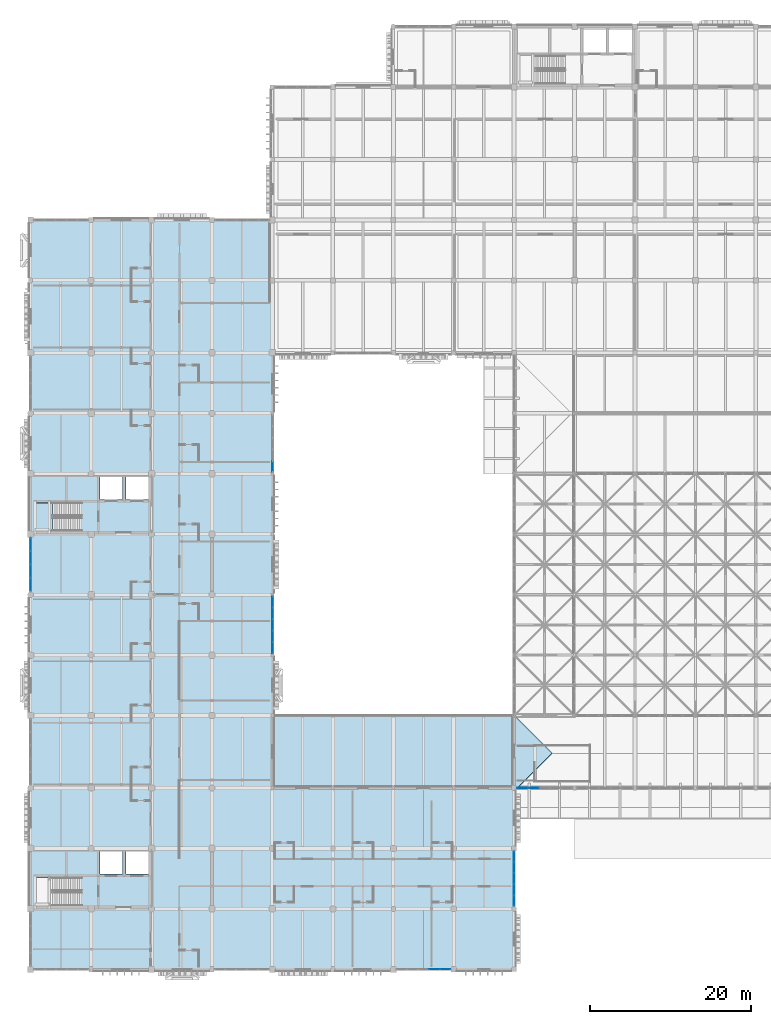
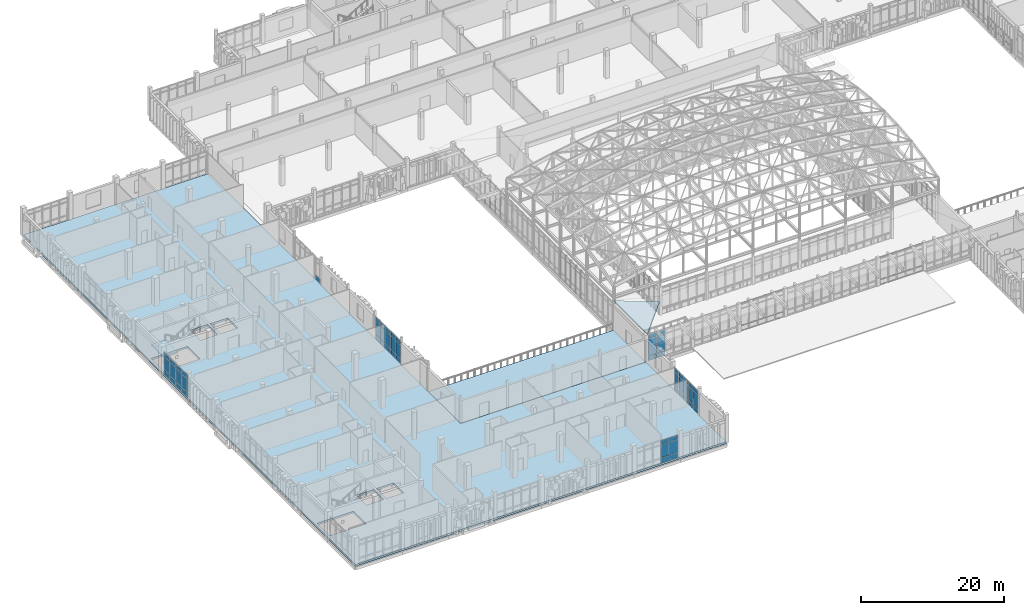
# One storey, part 75 of 131: 55 plates, 4 slabs, 8 elements without a shape of their own.
"""IFC4 building model written with IfcOpenShell, lengths in metres."""

from ifc_helpers import new_model, si_unit, direction, frame, origin, origin_2d, place, context, subcontext, project, spatial, polyline, rectangle, outline, extrude, material, layer, layer_set, type_object, element, aggregate, save


model = new_model("IFC4")

# Units and contexts
model_context = context("Model", 3, precision=1e-05, world=origin(), true_north=direction((0.0, 1.0)))
body_context = subcontext(model_context, "Body", "Model", "MODEL_VIEW")
ifc_project = project(units=[si_unit("LENGTHUNIT", "METRE"), si_unit("AREAUNIT", "SQUARE_METRE"), si_unit("VOLUMEUNIT", "CUBIC_METRE"), si_unit("PLANEANGLEUNIT", "RADIAN"), si_unit("MASSUNIT", "GRAM", prefix="KILO")], contexts=[model_context])

# Site, building, storey
site_placement = place(None, origin())
site = spatial("IfcSite", under=ifc_project, at=site_placement, CompositionType="ELEMENT")
building_placement = place(site_placement, origin())
building = spatial("IfcBuilding", under=site, at=building_placement, Name="Dalvernix Boulevard General Hospital", CompositionType="ELEMENT")
storey_placement = place(building_placement, frame((0.0, 0.0, 9.300048828125)))
storey = spatial("IfcBuildingStorey", under=building, at=storey_placement, Name="L02", CompositionType="ELEMENT", Elevation=9.300048828125)

# Curtain wall, plates
ifc_material_1 = material(Name="Thermally broken aluminium and solar-control glass curtain wall", Category="aluminium")
ifc_layer_1 = layer(ifc_material_1, 0.179931640625)
ifc_layer_set_1 = layer_set([ifc_layer_1], Name="Thermally broken aluminium and solar-control glass curtain wall (CW-CW-B-70x46)")
curtain_wall_type_1 = type_object("IfcCurtainWallType", Name="CW-CW-B-70x46", PredefinedType="USERDEFINED", material=ifc_layer_set_1)
curtain_wall_1_placement = place(storey_placement, origin())
curtain_wall_1 = element("IfcCurtainWall", 1, at=curtain_wall_1_placement, inside=storey, type_object=curtain_wall_type_1, Name="L02 curtain wall CW-B-70x46 8-3", ObjectType="GLAZED FACADE", PredefinedType="USERDEFINED")
ifc_material_2 = material(Name="Double-glazed solar-control low-emissivity glass", Category="glass")
ifc_layer_2 = layer(ifc_material_2, 0.028076171875)
ifc_layer_set_2 = layer_set([ifc_layer_2], Name="Double-glazed solar-control low-emissivity glass (PLT-CW-P2)")
plate_type_1 = type_object("IfcPlateType", Name="PLT-CW-P2", PredefinedType="CURTAIN_PANEL", material=ifc_layer_set_2)
plate_1_placement = place(storey_placement, frame((62.396484375, 22.5, 0.06494140625), z_axis=(0.0, 0.0, 1.0), x_axis=(-1.0, 0.0, 0.0)))
plate_1 = element("IfcPlate", 2, at=plate_1_placement, type_object=plate_type_1, Name="CW-B-70x46 panel 4.1", PredefinedType="CURTAIN_PANEL", context=body_context, shape_type="SweptSolid", body=[
    extrude(rectangle(XDim=1.325927734375, YDim=0.028076171875, at=origin_2d()), origin(), (0.0, 0.0, 1.0), 0.802490234375),
])
plate_2_placement = place(storey_placement, frame((62.396484375, 22.5, 0.932373046875), z_axis=(0.0, 0.0, 1.0), x_axis=(-1.0, 0.0, 0.0)))
plate_2 = element("IfcPlate", 3, at=plate_2_placement, type_object=plate_type_1, Name="CW-B-70x46 panel 4.2", PredefinedType="CURTAIN_PANEL", context=body_context, shape_type="SweptSolid", body=[
    extrude(rectangle(XDim=1.325927734375, YDim=0.028076171875, at=origin_2d()), origin(), (0.0, 0.0, 1.0), 2.8349609375),
])
plate_3_placement = place(storey_placement, frame((62.396484375, 22.5, 3.83251953125), z_axis=(0.0, 0.0, 1.0), x_axis=(-1.0, 0.0, 0.0)))
plate_3 = element("IfcPlate", 4, at=plate_3_placement, type_object=plate_type_1, Name="CW-B-70x46 panel 4.3", PredefinedType="CURTAIN_PANEL", context=body_context, shape_type="SweptSolid", body=[
    extrude(rectangle(XDim=1.325927734375, YDim=0.028076171875, at=origin_2d()), origin(), (0.0, 0.0, 1.0), 0.652587890625),
])
plate_4_placement = place(storey_placement, frame((61.021728515625, 22.5, 0.06494140625), z_axis=(0.0, 0.0, 1.0), x_axis=(-1.0, 0.0, 0.0)))
plate_4 = element("IfcPlate", 5, at=plate_4_placement, type_object=plate_type_1, Name="CW-B-70x46 panel 5.1", PredefinedType="CURTAIN_PANEL", context=body_context, shape_type="SweptSolid", body=[
    extrude(rectangle(XDim=1.29345703125, YDim=0.028076171875, at=origin_2d()), origin(), (0.0, 0.0, 1.0), 0.802490234375),
])
plate_5_placement = place(storey_placement, frame((61.021728515625, 22.5, 0.932373046875), z_axis=(0.0, 0.0, 1.0), x_axis=(-1.0, 0.0, 0.0)))
plate_5 = element("IfcPlate", 6, at=plate_5_placement, type_object=plate_type_1, Name="CW-B-70x46 panel 5.2", PredefinedType="CURTAIN_PANEL", context=body_context, shape_type="SweptSolid", body=[
    extrude(rectangle(XDim=1.29345703125, YDim=0.028076171875, at=origin_2d()), origin(), (0.0, 0.0, 1.0), 2.8349609375),
])
plate_6_placement = place(storey_placement, frame((61.021728515625, 22.5, 3.83251953125), z_axis=(0.0, 0.0, 1.0), x_axis=(-1.0, 0.0, 0.0)))
plate_6 = element("IfcPlate", 7, at=plate_6_placement, type_object=plate_type_1, Name="CW-B-70x46 panel 5.3", PredefinedType="CURTAIN_PANEL", context=body_context, shape_type="SweptSolid", body=[
    extrude(rectangle(XDim=1.29345703125, YDim=0.028076171875, at=origin_2d()), origin(), (0.0, 0.0, 1.0), 0.652587890625),
])
aggregate(curtain_wall_1, [plate_1, plate_2, plate_3, plate_4, plate_5, plate_6])

ifc_layer_3 = layer(ifc_material_1, 0.199951171875)
ifc_layer_set_3 = layer_set([ifc_layer_3], Name="Thermally broken aluminium and solar-control glass curtain wall (CW-CW-C-67x40)")
curtain_wall_type_2 = type_object("IfcCurtainWallType", Name="CW-CW-C-67x40", PredefinedType="USERDEFINED", material=ifc_layer_set_3)
curtain_wall_2_placement = place(storey_placement, origin())
curtain_wall_2 = element("IfcCurtainWall", 8, at=curtain_wall_2_placement, inside=storey, type_object=curtain_wall_type_2, Name="L02 curtain wall CW-C-67x40 0-6", ObjectType="GLAZED FACADE", PredefinedType="USERDEFINED")
ifc_layer_4 = layer(ifc_material_2, 0.035888671875)
ifc_layer_set_4 = layer_set([ifc_layer_4], Name="Double-glazed solar-control low-emissivity glass (PLT-CW-P3)")
plate_type_2 = type_object("IfcPlateType", Name="PLT-CW-P3", PredefinedType="CURTAIN_PANEL", material=ifc_layer_set_4)
plate_7_placement = place(storey_placement, frame((0.0, 47.74072265625, 0.070068359375), z_axis=(0.0, 0.0, 1.0), x_axis=(0.0, 1.0, 0.0)))
plate_7 = element("IfcPlate", 9, at=plate_7_placement, type_object=plate_type_2, Name="CW-C-67x40 panel 1.1", PredefinedType="CURTAIN_PANEL", context=body_context, shape_type="SweptSolid", body=[
    extrude(rectangle(XDim=1.5712890625, YDim=0.035888671875, at=origin_2d()), origin(), (0.0, 0.0, 1.0), 0.794921875),
])
plate_8_placement = place(storey_placement, frame((0.0, 47.74072265625, 0.93505859375), z_axis=(0.0, 0.0, 1.0), x_axis=(0.0, 1.0, 0.0)))
plate_8 = element("IfcPlate", 10, at=plate_8_placement, type_object=plate_type_2, Name="CW-C-67x40 panel 1.2", PredefinedType="CURTAIN_PANEL", context=body_context, shape_type="SweptSolid", body=[
    extrude(rectangle(XDim=1.5712890625, YDim=0.035888671875, at=origin_2d()), origin(), (0.0, 0.0, 1.0), 2.22998046875),
])
plate_9_placement = place(storey_placement, frame((0.0, 47.74072265625, 3.23486328125), z_axis=(0.0, 0.0, 1.0), x_axis=(0.0, 1.0, 0.0)))
plate_9 = element("IfcPlate", 11, at=plate_9_placement, type_object=plate_type_2, Name="CW-C-67x40 panel 1.3", PredefinedType="CURTAIN_PANEL", context=body_context, shape_type="SweptSolid", body=[
    extrude(rectangle(XDim=1.5712890625, YDim=0.035888671875, at=origin_2d()), origin(), (0.0, 0.0, 1.0), 0.64501953125),
])
plate_10_placement = place(storey_placement, frame((0.0, 49.3994140625, 0.070068359375), z_axis=(0.0, 0.0, 1.0), x_axis=(0.0, 1.0, 0.0)))
plate_10 = element("IfcPlate", 12, at=plate_10_placement, type_object=plate_type_2, Name="CW-C-67x40 panel 2.1", PredefinedType="CURTAIN_PANEL", context=body_context, shape_type="SweptSolid", body=[
    extrude(rectangle(XDim=1.606201171875, YDim=0.035888671875, at=origin_2d()), origin(), (0.0, 0.0, 1.0), 0.794921875),
])
plate_11_placement = place(storey_placement, frame((0.0, 49.3994140625, 0.93505859375), z_axis=(0.0, 0.0, 1.0), x_axis=(0.0, 1.0, 0.0)))
plate_11 = element("IfcPlate", 13, at=plate_11_placement, type_object=plate_type_2, Name="CW-C-67x40 panel 2.2", PredefinedType="CURTAIN_PANEL", context=body_context, shape_type="SweptSolid", body=[
    extrude(rectangle(XDim=1.606201171875, YDim=0.035888671875, at=origin_2d()), origin(), (0.0, 0.0, 1.0), 2.22998046875),
])
plate_12_placement = place(storey_placement, frame((0.0, 49.3994140625, 3.23486328125), z_axis=(0.0, 0.0, 1.0), x_axis=(0.0, 1.0, 0.0)))
plate_12 = element("IfcPlate", 14, at=plate_12_placement, type_object=plate_type_2, Name="CW-C-67x40 panel 2.3", PredefinedType="CURTAIN_PANEL", context=body_context, shape_type="SweptSolid", body=[
    extrude(rectangle(XDim=1.606201171875, YDim=0.035888671875, at=origin_2d()), origin(), (0.0, 0.0, 1.0), 0.64501953125),
])
plate_13_placement = place(storey_placement, frame((0.0, 51.07568359375, 0.070068359375), z_axis=(0.0, 0.0, 1.0), x_axis=(0.0, 1.0, 0.0)))
plate_13 = element("IfcPlate", 15, at=plate_13_placement, type_object=plate_type_2, Name="CW-C-67x40 panel 3.1", PredefinedType="CURTAIN_PANEL", context=body_context, shape_type="SweptSolid", body=[
    extrude(rectangle(XDim=1.606201171875, YDim=0.035888671875, at=origin_2d()), origin(), (0.0, 0.0, 1.0), 0.794921875),
])
plate_14_placement = place(storey_placement, frame((0.0, 51.07568359375, 0.93505859375), z_axis=(0.0, 0.0, 1.0), x_axis=(0.0, 1.0, 0.0)))
plate_14 = element("IfcPlate", 16, at=plate_14_placement, type_object=plate_type_2, Name="CW-C-67x40 panel 3.2", PredefinedType="CURTAIN_PANEL", context=body_context, shape_type="SweptSolid", body=[
    extrude(rectangle(XDim=1.606201171875, YDim=0.035888671875, at=origin_2d()), origin(), (0.0, 0.0, 1.0), 2.22998046875),
])
plate_15_placement = place(storey_placement, frame((0.0, 51.07568359375, 3.23486328125), z_axis=(0.0, 0.0, 1.0), x_axis=(0.0, 1.0, 0.0)))
plate_15 = element("IfcPlate", 17, at=plate_15_placement, type_object=plate_type_2, Name="CW-C-67x40 panel 3.3", PredefinedType="CURTAIN_PANEL", context=body_context, shape_type="SweptSolid", body=[
    extrude(rectangle(XDim=1.606201171875, YDim=0.035888671875, at=origin_2d()), origin(), (0.0, 0.0, 1.0), 0.64501953125),
])
plate_16_placement = place(storey_placement, frame((0.0, 52.734375, 0.070068359375), z_axis=(0.0, 0.0, 1.0), x_axis=(0.0, 1.0, 0.0)))
plate_16 = element("IfcPlate", 18, at=plate_16_placement, type_object=plate_type_2, Name="CW-C-67x40 panel 4.1", PredefinedType="CURTAIN_PANEL", context=body_context, shape_type="SweptSolid", body=[
    extrude(rectangle(XDim=1.5712890625, YDim=0.035888671875, at=origin_2d()), origin(), (0.0, 0.0, 1.0), 0.794921875),
])
plate_17_placement = place(storey_placement, frame((0.0, 52.734375, 0.93505859375), z_axis=(0.0, 0.0, 1.0), x_axis=(0.0, 1.0, 0.0)))
plate_17 = element("IfcPlate", 19, at=plate_17_placement, type_object=plate_type_2, Name="CW-C-67x40 panel 4.2", PredefinedType="CURTAIN_PANEL", context=body_context, shape_type="SweptSolid", body=[
    extrude(rectangle(XDim=1.5712890625, YDim=0.035888671875, at=origin_2d()), origin(), (0.0, 0.0, 1.0), 2.22998046875),
])
plate_18_placement = place(storey_placement, frame((0.0, 52.734375, 3.23486328125), z_axis=(0.0, 0.0, 1.0), x_axis=(0.0, 1.0, 0.0)))
plate_18 = element("IfcPlate", 20, at=plate_18_placement, type_object=plate_type_2, Name="CW-C-67x40 panel 4.3", PredefinedType="CURTAIN_PANEL", context=body_context, shape_type="SweptSolid", body=[
    extrude(rectangle(XDim=1.5712890625, YDim=0.035888671875, at=origin_2d()), origin(), (0.0, 0.0, 1.0), 0.64501953125),
])
aggregate(curtain_wall_2, [plate_7, plate_8, plate_9, plate_10, plate_11, plate_12, plate_13, plate_14, plate_15, plate_16, plate_17, plate_18])

ifc_layer_5 = layer(ifc_material_1, 0.199951171875)
ifc_layer_set_5 = layer_set([ifc_layer_5], Name="Thermally broken aluminium and solar-control glass curtain wall (CW-CW-C-72x40)")
curtain_wall_type_3 = type_object("IfcCurtainWallType", Name="CW-CW-C-72x40", PredefinedType="USERDEFINED", material=ifc_layer_set_5)
curtain_wall_3_placement = place(storey_placement, origin())
curtain_wall_3 = element("IfcCurtainWall", 21, at=curtain_wall_3_placement, inside=storey, type_object=curtain_wall_type_3, Name="L02 curtain wall CW-C-72x40 4-5", ObjectType="GLAZED FACADE", PredefinedType="USERDEFINED")
plate_19_placement = place(storey_placement, frame((30.0, 45.596435546875, 0.070068359375), z_axis=(0.0, 0.0, 1.0), x_axis=(0.0, -1.0, 0.0)))
plate_19 = element("IfcPlate", 22, at=plate_19_placement, type_object=plate_type_2, Name="CW-C-72x40 panel 1.1", PredefinedType="CURTAIN_PANEL", context=body_context, shape_type="SweptSolid", body=[
    extrude(rectangle(XDim=1.326904296875, YDim=0.035888671875, at=origin_2d()), origin(), (0.0, 0.0, 1.0), 0.794921875),
])
plate_20_placement = place(storey_placement, frame((30.0, 45.596435546875, 0.93505859375), z_axis=(0.0, 0.0, 1.0), x_axis=(0.0, -1.0, 0.0)))
plate_20 = element("IfcPlate", 23, at=plate_20_placement, type_object=plate_type_2, Name="CW-C-72x40 panel 1.2", PredefinedType="CURTAIN_PANEL", context=body_context, shape_type="SweptSolid", body=[
    extrude(rectangle(XDim=1.326904296875, YDim=0.035888671875, at=origin_2d()), origin(), (0.0, 0.0, 1.0), 2.22998046875),
])
plate_21_placement = place(storey_placement, frame((30.0, 45.596435546875, 3.23486328125), z_axis=(0.0, 0.0, 1.0), x_axis=(0.0, -1.0, 0.0)))
plate_21 = element("IfcPlate", 24, at=plate_21_placement, type_object=plate_type_2, Name="CW-C-72x40 panel 1.3", PredefinedType="CURTAIN_PANEL", context=body_context, shape_type="SweptSolid", body=[
    extrude(rectangle(XDim=1.326904296875, YDim=0.035888671875, at=origin_2d()), origin(), (0.0, 0.0, 1.0), 0.64501953125),
])
plate_22_placement = place(storey_placement, frame((30.0, 44.181884765625, 0.070068359375), z_axis=(0.0, 0.0, 1.0), x_axis=(0.0, -1.0, 0.0)))
plate_22 = element("IfcPlate", 25, at=plate_22_placement, type_object=plate_type_2, Name="CW-C-72x40 panel 2.1", PredefinedType="CURTAIN_PANEL", context=body_context, shape_type="SweptSolid", body=[
    extrude(rectangle(XDim=1.362060546875, YDim=0.035888671875, at=origin_2d()), origin(), (0.0, 0.0, 1.0), 0.794921875),
])
plate_23_placement = place(storey_placement, frame((30.0, 44.181884765625, 0.93505859375), z_axis=(0.0, 0.0, 1.0), x_axis=(0.0, -1.0, 0.0)))
plate_23 = element("IfcPlate", 26, at=plate_23_placement, type_object=plate_type_2, Name="CW-C-72x40 panel 2.2", PredefinedType="CURTAIN_PANEL", context=body_context, shape_type="SweptSolid", body=[
    extrude(rectangle(XDim=1.362060546875, YDim=0.035888671875, at=origin_2d()), origin(), (0.0, 0.0, 1.0), 2.22998046875),
])
plate_24_placement = place(storey_placement, frame((30.0, 44.181884765625, 3.23486328125), z_axis=(0.0, 0.0, 1.0), x_axis=(0.0, -1.0, 0.0)))
plate_24 = element("IfcPlate", 27, at=plate_24_placement, type_object=plate_type_2, Name="CW-C-72x40 panel 2.3", PredefinedType="CURTAIN_PANEL", context=body_context, shape_type="SweptSolid", body=[
    extrude(rectangle(XDim=1.362060546875, YDim=0.035888671875, at=origin_2d()), origin(), (0.0, 0.0, 1.0), 0.64501953125),
])
plate_25_placement = place(storey_placement, frame((30.0, 42.75, 0.070068359375), z_axis=(0.0, 0.0, 1.0), x_axis=(0.0, -1.0, 0.0)))
plate_25 = element("IfcPlate", 28, at=plate_25_placement, type_object=plate_type_2, Name="CW-C-72x40 panel 3.1", PredefinedType="CURTAIN_PANEL", context=body_context, shape_type="SweptSolid", body=[
    extrude(rectangle(XDim=1.362060546875, YDim=0.035888671875, at=origin_2d()), origin(), (0.0, 0.0, 1.0), 0.794921875),
])
plate_26_placement = place(storey_placement, frame((30.0, 42.75, 0.93505859375), z_axis=(0.0, 0.0, 1.0), x_axis=(0.0, -1.0, 0.0)))
plate_26 = element("IfcPlate", 29, at=plate_26_placement, type_object=plate_type_2, Name="CW-C-72x40 panel 3.2", PredefinedType="CURTAIN_PANEL", context=body_context, shape_type="SweptSolid", body=[
    extrude(rectangle(XDim=1.362060546875, YDim=0.035888671875, at=origin_2d()), origin(), (0.0, 0.0, 1.0), 2.22998046875),
])
plate_27_placement = place(storey_placement, frame((30.0, 42.75, 3.23486328125), z_axis=(0.0, 0.0, 1.0), x_axis=(0.0, -1.0, 0.0)))
plate_27 = element("IfcPlate", 30, at=plate_27_placement, type_object=plate_type_2, Name="CW-C-72x40 panel 3.3", PredefinedType="CURTAIN_PANEL", context=body_context, shape_type="SweptSolid", body=[
    extrude(rectangle(XDim=1.362060546875, YDim=0.035888671875, at=origin_2d()), origin(), (0.0, 0.0, 1.0), 0.64501953125),
])
plate_28_placement = place(storey_placement, frame((30.0, 41.318115234375, 0.070068359375), z_axis=(0.0, 0.0, 1.0), x_axis=(0.0, -1.0, 0.0)))
plate_28 = element("IfcPlate", 31, at=plate_28_placement, type_object=plate_type_2, Name="CW-C-72x40 panel 4.1", PredefinedType="CURTAIN_PANEL", context=body_context, shape_type="SweptSolid", body=[
    extrude(rectangle(XDim=1.362060546875, YDim=0.035888671875, at=origin_2d()), origin(), (0.0, 0.0, 1.0), 0.794921875),
])
plate_29_placement = place(storey_placement, frame((30.0, 41.318115234375, 0.93505859375), z_axis=(0.0, 0.0, 1.0), x_axis=(0.0, -1.0, 0.0)))
plate_29 = element("IfcPlate", 32, at=plate_29_placement, type_object=plate_type_2, Name="CW-C-72x40 panel 4.2", PredefinedType="CURTAIN_PANEL", context=body_context, shape_type="SweptSolid", body=[
    extrude(rectangle(XDim=1.362060546875, YDim=0.035888671875, at=origin_2d()), origin(), (0.0, 0.0, 1.0), 2.22998046875),
])
plate_30_placement = place(storey_placement, frame((30.0, 41.318115234375, 3.23486328125), z_axis=(0.0, 0.0, 1.0), x_axis=(0.0, -1.0, 0.0)))
plate_30 = element("IfcPlate", 33, at=plate_30_placement, type_object=plate_type_2, Name="CW-C-72x40 panel 4.3", PredefinedType="CURTAIN_PANEL", context=body_context, shape_type="SweptSolid", body=[
    extrude(rectangle(XDim=1.362060546875, YDim=0.035888671875, at=origin_2d()), origin(), (0.0, 0.0, 1.0), 0.64501953125),
])
plate_31_placement = place(storey_placement, frame((30.0, 39.903564453125, 0.070068359375), z_axis=(0.0, 0.0, 1.0), x_axis=(0.0, -1.0, 0.0)))
plate_31 = element("IfcPlate", 34, at=plate_31_placement, type_object=plate_type_2, Name="CW-C-72x40 panel 5.1", PredefinedType="CURTAIN_PANEL", context=body_context, shape_type="SweptSolid", body=[
    extrude(rectangle(XDim=1.326904296875, YDim=0.035888671875, at=origin_2d()), origin(), (0.0, 0.0, 1.0), 0.794921875),
])
plate_32_placement = place(storey_placement, frame((30.0, 39.903564453125, 0.93505859375), z_axis=(0.0, 0.0, 1.0), x_axis=(0.0, -1.0, 0.0)))
plate_32 = element("IfcPlate", 35, at=plate_32_placement, type_object=plate_type_2, Name="CW-C-72x40 panel 5.2", PredefinedType="CURTAIN_PANEL", context=body_context, shape_type="SweptSolid", body=[
    extrude(rectangle(XDim=1.326904296875, YDim=0.035888671875, at=origin_2d()), origin(), (0.0, 0.0, 1.0), 2.22998046875),
])
plate_33_placement = place(storey_placement, frame((30.0, 39.903564453125, 3.23486328125), z_axis=(0.0, 0.0, 1.0), x_axis=(0.0, -1.0, 0.0)))
plate_33 = element("IfcPlate", 36, at=plate_33_placement, type_object=plate_type_2, Name="CW-C-72x40 panel 5.3", PredefinedType="CURTAIN_PANEL", context=body_context, shape_type="SweptSolid", body=[
    extrude(rectangle(XDim=1.326904296875, YDim=0.035888671875, at=origin_2d()), origin(), (0.0, 0.0, 1.0), 0.64501953125),
])
aggregate(curtain_wall_3, [plate_19, plate_20, plate_21, plate_22, plate_23, plate_24, plate_25, plate_26, plate_27, plate_28, plate_29, plate_30, plate_31, plate_32, plate_33])

# Curtain wall, plate
curtain_wall_4_placement = place(storey_placement, origin())
curtain_wall_4 = element("IfcCurtainWall", 37, at=curtain_wall_4_placement, inside=storey, type_object=curtain_wall_type_3, Name="L02 curtain wall CW-C-72x40 4-8", ObjectType="GLAZED FACADE", PredefinedType="USERDEFINED")
plate_34_placement = place(storey_placement, frame((30.0, 62.403564453125, 0.070068359375), z_axis=(0.0, 0.0, 1.0), x_axis=(0.0, -1.0, 0.0)))
plate_34 = element("IfcPlate", 38, at=plate_34_placement, type_object=plate_type_2, Name="CW-C-72x40 panel 5.1", PredefinedType="CURTAIN_PANEL", context=body_context, shape_type="SweptSolid", body=[
    extrude(rectangle(XDim=1.326904296875, YDim=0.035888671875, at=origin_2d()), origin(), (0.0, 0.0, 1.0), 0.794921875),
])
aggregate(curtain_wall_4, [plate_34])

# Curtain wall, plates
ifc_layer_6 = layer(ifc_material_1, 0.199951171875)
ifc_layer_set_6 = layer_set([ifc_layer_6], Name="Thermally broken aluminium and solar-control glass curtain wall (CW-CW-C-68x40)")
curtain_wall_type_4 = type_object("IfcCurtainWallType", Name="CW-CW-C-68x40", PredefinedType="USERDEFINED", material=ifc_layer_set_6)
curtain_wall_5_placement = place(storey_placement, origin())
curtain_wall_5 = element("IfcCurtainWall", 39, at=curtain_wall_5_placement, inside=storey, type_object=curtain_wall_type_4, Name="L02 curtain wall CW-C-68x40 6-0", ObjectType="GLAZED FACADE", PredefinedType="USERDEFINED")
plate_35_placement = place(storey_placement, frame((51.469482421875, 0.0, 0.070068359375), z_axis=(0.0, 0.0, 1.0), x_axis=(-1.0, 0.0, 0.0)))
plate_35 = element("IfcPlate", 40, at=plate_35_placement, type_object=plate_type_2, Name="CW-C-68x40 panel 1.1", PredefinedType="CURTAIN_PANEL", context=body_context, shape_type="SweptSolid", body=[
    extrude(rectangle(XDim=1.2509765625, YDim=0.035888671875, at=origin_2d()), origin(), (0.0, 0.0, 1.0), 0.794921875),
])
plate_36_placement = place(storey_placement, frame((51.469482421875, 0.0, 0.93505859375), z_axis=(0.0, 0.0, 1.0), x_axis=(-1.0, 0.0, 0.0)))
plate_36 = element("IfcPlate", 41, at=plate_36_placement, type_object=plate_type_2, Name="CW-C-68x40 panel 1.2", PredefinedType="CURTAIN_PANEL", context=body_context, shape_type="SweptSolid", body=[
    extrude(rectangle(XDim=1.2509765625, YDim=0.035888671875, at=origin_2d()), origin(), (0.0, 0.0, 1.0), 2.22998046875),
])
plate_37_placement = place(storey_placement, frame((51.469482421875, 0.0, 3.23486328125), z_axis=(0.0, 0.0, 1.0), x_axis=(-1.0, 0.0, 0.0)))
plate_37 = element("IfcPlate", 42, at=plate_37_placement, type_object=plate_type_2, Name="CW-C-68x40 panel 1.3", PredefinedType="CURTAIN_PANEL", context=body_context, shape_type="SweptSolid", body=[
    extrude(rectangle(XDim=1.2509765625, YDim=0.035888671875, at=origin_2d()), origin(), (0.0, 0.0, 1.0), 0.64501953125),
])
plate_38_placement = place(storey_placement, frame((50.131103515625, 0.0, 0.070068359375), z_axis=(0.0, 0.0, 1.0), x_axis=(-1.0, 0.0, 0.0)))
plate_38 = element("IfcPlate", 43, at=plate_38_placement, type_object=plate_type_2, Name="CW-C-68x40 panel 2.1", PredefinedType="CURTAIN_PANEL", context=body_context, shape_type="SweptSolid", body=[
    extrude(rectangle(XDim=1.285888671875, YDim=0.035888671875, at=origin_2d()), origin(), (0.0, 0.0, 1.0), 0.794921875),
])
plate_39_placement = place(storey_placement, frame((50.131103515625, 0.0, 0.93505859375), z_axis=(0.0, 0.0, 1.0), x_axis=(-1.0, 0.0, 0.0)))
plate_39 = element("IfcPlate", 44, at=plate_39_placement, type_object=plate_type_2, Name="CW-C-68x40 panel 2.2", PredefinedType="CURTAIN_PANEL", context=body_context, shape_type="SweptSolid", body=[
    extrude(rectangle(XDim=1.285888671875, YDim=0.035888671875, at=origin_2d()), origin(), (0.0, 0.0, 1.0), 2.22998046875),
])
plate_40_placement = place(storey_placement, frame((50.131103515625, 0.0, 3.23486328125), z_axis=(0.0, 0.0, 1.0), x_axis=(-1.0, 0.0, 0.0)))
plate_40 = element("IfcPlate", 45, at=plate_40_placement, type_object=plate_type_2, Name="CW-C-68x40 panel 2.3", PredefinedType="CURTAIN_PANEL", context=body_context, shape_type="SweptSolid", body=[
    extrude(rectangle(XDim=1.285888671875, YDim=0.035888671875, at=origin_2d()), origin(), (0.0, 0.0, 1.0), 0.64501953125),
])
aggregate(curtain_wall_5, [plate_35, plate_36, plate_37, plate_38, plate_39, plate_40])

ifc_layer_7 = layer(ifc_material_1, 0.199951171875)
ifc_layer_set_7 = layer_set([ifc_layer_7], Name="Thermally broken aluminium and solar-control glass curtain wall (CW-CW-C-69x40)")
curtain_wall_type_5 = type_object("IfcCurtainWallType", Name="CW-CW-C-69x40", PredefinedType="USERDEFINED", material=ifc_layer_set_7)
curtain_wall_6_placement = place(storey_placement, origin())
curtain_wall_6 = element("IfcCurtainWall", 46, at=curtain_wall_6_placement, inside=storey, type_object=curtain_wall_type_5, Name="L02 curtain wall CW-C-69x40 8-1", ObjectType="GLAZED FACADE", PredefinedType="USERDEFINED")
plate_41_placement = place(storey_placement, frame((60.0, 13.984619140625, 0.070068359375), z_axis=(0.0, 0.0, 1.0), x_axis=(0.0, -1.0, 0.0)))
plate_41 = element("IfcPlate", 47, at=plate_41_placement, type_object=plate_type_2, Name="CW-C-69x40 panel 1.1", PredefinedType="CURTAIN_PANEL", context=body_context, shape_type="SweptSolid", body=[
    extrude(rectangle(XDim=1.27099609375, YDim=0.035888671875, at=origin_2d()), origin(), (0.0, 0.0, 1.0), 0.794921875),
])
plate_42_placement = place(storey_placement, frame((60.0, 13.984619140625, 0.93505859375), z_axis=(0.0, 0.0, 1.0), x_axis=(0.0, -1.0, 0.0)))
plate_42 = element("IfcPlate", 48, at=plate_42_placement, type_object=plate_type_2, Name="CW-C-69x40 panel 1.2", PredefinedType="CURTAIN_PANEL", context=body_context, shape_type="SweptSolid", body=[
    extrude(rectangle(XDim=1.27099609375, YDim=0.035888671875, at=origin_2d()), origin(), (0.0, 0.0, 1.0), 2.22998046875),
])
plate_43_placement = place(storey_placement, frame((60.0, 13.984619140625, 3.23486328125), z_axis=(0.0, 0.0, 1.0), x_axis=(0.0, -1.0, 0.0)))
plate_43 = element("IfcPlate", 49, at=plate_43_placement, type_object=plate_type_2, Name="CW-C-69x40 panel 1.3", PredefinedType="CURTAIN_PANEL", context=body_context, shape_type="SweptSolid", body=[
    extrude(rectangle(XDim=1.27099609375, YDim=0.035888671875, at=origin_2d()), origin(), (0.0, 0.0, 1.0), 0.64501953125),
])
plate_44_placement = place(storey_placement, frame((60.0, 12.6259765625, 0.070068359375), z_axis=(0.0, 0.0, 1.0), x_axis=(0.0, -1.0, 0.0)))
plate_44 = element("IfcPlate", 50, at=plate_44_placement, type_object=plate_type_2, Name="CW-C-69x40 panel 2.1", PredefinedType="CURTAIN_PANEL", context=body_context, shape_type="SweptSolid", body=[
    extrude(rectangle(XDim=1.305908203125, YDim=0.035888671875, at=origin_2d()), origin(), (0.0, 0.0, 1.0), 0.794921875),
])
plate_45_placement = place(storey_placement, frame((60.0, 12.6259765625, 0.93505859375), z_axis=(0.0, 0.0, 1.0), x_axis=(0.0, -1.0, 0.0)))
plate_45 = element("IfcPlate", 51, at=plate_45_placement, type_object=plate_type_2, Name="CW-C-69x40 panel 2.2", PredefinedType="CURTAIN_PANEL", context=body_context, shape_type="SweptSolid", body=[
    extrude(rectangle(XDim=1.305908203125, YDim=0.035888671875, at=origin_2d()), origin(), (0.0, 0.0, 1.0), 2.22998046875),
])
plate_46_placement = place(storey_placement, frame((60.0, 12.6259765625, 3.23486328125), z_axis=(0.0, 0.0, 1.0), x_axis=(0.0, -1.0, 0.0)))
plate_46 = element("IfcPlate", 52, at=plate_46_placement, type_object=plate_type_2, Name="CW-C-69x40 panel 2.3", PredefinedType="CURTAIN_PANEL", context=body_context, shape_type="SweptSolid", body=[
    extrude(rectangle(XDim=1.305908203125, YDim=0.035888671875, at=origin_2d()), origin(), (0.0, 0.0, 1.0), 0.64501953125),
])
plate_47_placement = place(storey_placement, frame((60.0, 11.25, 0.070068359375), z_axis=(0.0, 0.0, 1.0), x_axis=(0.0, -1.0, 0.0)))
plate_47 = element("IfcPlate", 53, at=plate_47_placement, type_object=plate_type_2, Name="CW-C-69x40 panel 3.1", PredefinedType="CURTAIN_PANEL", context=body_context, shape_type="SweptSolid", body=[
    extrude(rectangle(XDim=1.305908203125, YDim=0.035888671875, at=origin_2d()), origin(), (0.0, 0.0, 1.0), 0.794921875),
])
plate_48_placement = place(storey_placement, frame((60.0, 11.25, 0.93505859375), z_axis=(0.0, 0.0, 1.0), x_axis=(0.0, -1.0, 0.0)))
plate_48 = element("IfcPlate", 54, at=plate_48_placement, type_object=plate_type_2, Name="CW-C-69x40 panel 3.2", PredefinedType="CURTAIN_PANEL", context=body_context, shape_type="SweptSolid", body=[
    extrude(rectangle(XDim=1.305908203125, YDim=0.035888671875, at=origin_2d()), origin(), (0.0, 0.0, 1.0), 2.22998046875),
])
plate_49_placement = place(storey_placement, frame((60.0, 11.25, 3.23486328125), z_axis=(0.0, 0.0, 1.0), x_axis=(0.0, -1.0, 0.0)))
plate_49 = element("IfcPlate", 55, at=plate_49_placement, type_object=plate_type_2, Name="CW-C-69x40 panel 3.3", PredefinedType="CURTAIN_PANEL", context=body_context, shape_type="SweptSolid", body=[
    extrude(rectangle(XDim=1.305908203125, YDim=0.035888671875, at=origin_2d()), origin(), (0.0, 0.0, 1.0), 0.64501953125),
])
plate_50_placement = place(storey_placement, frame((60.0, 9.8740234375, 0.070068359375), z_axis=(0.0, 0.0, 1.0), x_axis=(0.0, -1.0, 0.0)))
plate_50 = element("IfcPlate", 56, at=plate_50_placement, type_object=plate_type_2, Name="CW-C-69x40 panel 4.1", PredefinedType="CURTAIN_PANEL", context=body_context, shape_type="SweptSolid", body=[
    extrude(rectangle(XDim=1.305908203125, YDim=0.035888671875, at=origin_2d()), origin(), (0.0, 0.0, 1.0), 0.794921875),
])
plate_51_placement = place(storey_placement, frame((60.0, 9.8740234375, 0.93505859375), z_axis=(0.0, 0.0, 1.0), x_axis=(0.0, -1.0, 0.0)))
plate_51 = element("IfcPlate", 57, at=plate_51_placement, type_object=plate_type_2, Name="CW-C-69x40 panel 4.2", PredefinedType="CURTAIN_PANEL", context=body_context, shape_type="SweptSolid", body=[
    extrude(rectangle(XDim=1.305908203125, YDim=0.035888671875, at=origin_2d()), origin(), (0.0, 0.0, 1.0), 2.22998046875),
])
plate_52_placement = place(storey_placement, frame((60.0, 9.8740234375, 3.23486328125), z_axis=(0.0, 0.0, 1.0), x_axis=(0.0, -1.0, 0.0)))
plate_52 = element("IfcPlate", 58, at=plate_52_placement, type_object=plate_type_2, Name="CW-C-69x40 panel 4.3", PredefinedType="CURTAIN_PANEL", context=body_context, shape_type="SweptSolid", body=[
    extrude(rectangle(XDim=1.305908203125, YDim=0.035888671875, at=origin_2d()), origin(), (0.0, 0.0, 1.0), 0.64501953125),
])
plate_53_placement = place(storey_placement, frame((60.0, 8.515380859375, 0.070068359375), z_axis=(0.0, 0.0, 1.0), x_axis=(0.0, -1.0, 0.0)))
plate_53 = element("IfcPlate", 59, at=plate_53_placement, type_object=plate_type_2, Name="CW-C-69x40 panel 5.1", PredefinedType="CURTAIN_PANEL", context=body_context, shape_type="SweptSolid", body=[
    extrude(rectangle(XDim=1.27099609375, YDim=0.035888671875, at=origin_2d()), origin(), (0.0, 0.0, 1.0), 0.794921875),
])
plate_54_placement = place(storey_placement, frame((60.0, 8.515380859375, 0.93505859375), z_axis=(0.0, 0.0, 1.0), x_axis=(0.0, -1.0, 0.0)))
plate_54 = element("IfcPlate", 60, at=plate_54_placement, type_object=plate_type_2, Name="CW-C-69x40 panel 5.2", PredefinedType="CURTAIN_PANEL", context=body_context, shape_type="SweptSolid", body=[
    extrude(rectangle(XDim=1.27099609375, YDim=0.035888671875, at=origin_2d()), origin(), (0.0, 0.0, 1.0), 2.22998046875),
])
plate_55_placement = place(storey_placement, frame((60.0, 8.515380859375, 3.23486328125), z_axis=(0.0, 0.0, 1.0), x_axis=(0.0, -1.0, 0.0)))
plate_55 = element("IfcPlate", 61, at=plate_55_placement, type_object=plate_type_2, Name="CW-C-69x40 panel 5.3", PredefinedType="CURTAIN_PANEL", context=body_context, shape_type="SweptSolid", body=[
    extrude(rectangle(XDim=1.27099609375, YDim=0.035888671875, at=origin_2d()), origin(), (0.0, 0.0, 1.0), 0.64501953125),
])
aggregate(curtain_wall_6, [plate_41, plate_42, plate_43, plate_44, plate_45, plate_46, plate_47, plate_48, plate_49, plate_50, plate_51, plate_52, plate_53, plate_54, plate_55])

# Slab
ifc_material_3 = material(Name="Concrete C35/45", Category="concrete")
ifc_layer_8 = layer(ifc_material_3, 0.320068359375)
ifc_layer_set_8 = layer_set([ifc_layer_8], Name="Concrete C35/45 (SLB-FS-02)")
slab_type_1 = type_object("IfcSlabType", Name="SLB-FS-02", PredefinedType="FLOOR", material=ifc_layer_set_8)
slab_1_placement = place(storey_placement, frame((0.0, 0.0, -0.320068359375)))
element("IfcSlab", 62, at=slab_1_placement, inside=storey, type_object=slab_type_1, Name="L02 V4 structural floor slab 1", PredefinedType="FLOOR", context=body_context, shape_type="SweptSolid", body=[
    extrude(outline(polyline([(0.0, 69.0), (0.0, 76.5), (0.0, 85.5), (0.0, 93.0), (7.5, 93.0), (15.0, 93.0), (22.5, 93.0), (30.0, 93.0), (30.0, 85.5), (30.0, 76.5), (30.0, 69.0), (30.0, 61.5), (30.0, 54.0), (30.0, 46.5), (30.0, 39.0), (30.0, 31.5), (30.0, 22.5), (37.5, 22.5), (45.0, 22.5), (52.5, 22.5), (60.0, 22.5), (60.0, 15.0), (60.0, 7.5), (60.0, 0.0), (52.5, 0.0), (45.0, 0.0), (37.5, 0.0), (30.0, 0.0), (22.5, 0.0), (15.0, 0.0), (7.5, 0.0), (0.0, 0.0), (0.0, 7.5), (0.0, 15.0), (0.0, 22.5), (0.0, 31.5), (0.0, 39.0), (0.0, 46.5), (0.0, 54.0), (0.0, 61.5), (0.0, 69.0)]), holes=[polyline([(0.39990234375, 11.39990234375), (0.39990234375, 7.89990234375), (6.2900390625, 7.89990234375), (6.2900390625, 11.39990234375), (0.39990234375, 11.39990234375)]), polyline([(11.39990234375, 14.60009765625), (8.60009765625, 14.60009765625), (8.60009765625, 11.800048828125), (11.39990234375, 11.800048828125), (11.39990234375, 14.60009765625)]), polyline([(14.60009765625, 11.800048828125), (14.60009765625, 14.60009765625), (11.800048828125, 14.60009765625), (11.800048828125, 11.800048828125), (14.60009765625, 11.800048828125)]), polyline([(0.39990234375, 54.39990234375), (6.2900390625, 54.39990234375), (6.2900390625, 57.89990234375), (0.39990234375, 57.89990234375), (0.39990234375, 54.39990234375)]), polyline([(8.60009765625, 61.10009765625), (8.60009765625, 58.300048828125), (11.39990234375, 58.300048828125), (11.39990234375, 61.10009765625), (8.60009765625, 61.10009765625)]), polyline([(14.60009765625, 61.10009765625), (11.800048828125, 61.10009765625), (11.800048828125, 58.300048828125), (14.60009765625, 58.300048828125), (14.60009765625, 61.10009765625)])]), origin(), (0.0, 0.0, 1.0), 0.320068359375),
])

# Stair, slab
ifc_material_4 = material(Name="Precast concrete C40/50", Category="concrete")
stair_type = type_object("IfcStairType", Name="IFCSTAIR-STC-165x480", PredefinedType="HALF_TURN_STAIR", material=ifc_material_4)
stair_placement = place(storey_placement, origin())
stair = element("IfcStair", 63, at=stair_placement, inside=storey, type_object=stair_type, Name="L02 Core C2 Exit Stair ST-02", PredefinedType="HALF_TURN_STAIR")
ifc_layer_9 = layer(ifc_material_4, 0.199951171875)
ifc_layer_set_9 = layer_set([ifc_layer_9], Name="Precast concrete C40/50 (SLB-LND-01)")
slab_type_2 = type_object("IfcSlabType", Name="SLB-LND-01", PredefinedType="LANDING", material=ifc_layer_set_9)
slab_2_placement = place(storey_placement, frame((0.0, 0.0, 2.199951171875)))
slab_2 = element("IfcSlab", 64, at=slab_2_placement, type_object=slab_type_2, Name="ST-02 landing 1", PredefinedType="LANDING", context=body_context, shape_type="SweptSolid", body=[
    extrude(outline(polyline([(2.7099609375, 57.89990234375), (0.39990234375, 57.89990234375), (0.39990234375, 54.39990234375), (2.7099609375, 54.39990234375), (2.7099609375, 57.89990234375)])), origin(), (0.0, 0.0, 1.0), 0.199951171875),
])
aggregate(stair, [slab_2])

# Roof, slab
ifc_material_5 = material(Name="Polychrome Catalan glazed terracotta tile roof system", Category="masonry")
roof_type = type_object("IfcRoofType", Name="ROOF-HIP-01", PredefinedType="HIP_ROOF", material=ifc_material_5)
roof_placement = place(storey_placement, origin())
roof = element("IfcRoof", 65, at=roof_placement, inside=storey, type_object=roof_type, Name="V1S Hipped Ceramic Roof", PredefinedType="HIP_ROOF")
ifc_layer_10 = layer(ifc_material_3, 0.179931640625)
ifc_layer_set_10 = layer_set([ifc_layer_10], Name="Concrete C35/45 (SLB-RS-03)")
slab_type_3 = type_object("IfcSlabType", Name="SLB-RS-03", PredefinedType="ROOF", material=ifc_layer_set_10)
slab_3_placement = place(storey_placement, frame((60.0, 31.5, 5.02001953125), z_axis=(-0.238509711225, 0.0, 0.971140112266), x_axis=(0.0, -1.0, 0.0)))
slab_3 = element("IfcSlab", 66, at=slab_3_placement, type_object=slab_type_3, Name="V1S hipped roof slab W", PredefinedType="ROOF", context=body_context, shape_type="SweptSolid", body=[
    extrude(outline(polyline([(0.0, 0.0), (9.39990234375, 0.0), (4.699951171875, 4.839622123021999), (0.0, 0.0)])), origin(), (0.0, 0.0, -1.0), 0.179931640625),
])
aggregate(roof, [slab_3])

# Slab
ifc_layer_11 = layer(ifc_material_3, 0.239990234375)
ifc_layer_set_11 = layer_set([ifc_layer_11], Name="Concrete C35/45 (SLB-TS-01)")
slab_type_4 = type_object("IfcSlabType", Name="SLB-TS-01", PredefinedType="FLOOR", material=ifc_layer_set_11)
slab_4_placement = place(storey_placement, frame((0.0, 0.0, -0.239990234375)))
element("IfcSlab", 67, at=slab_4_placement, inside=storey, type_object=slab_type_4, Name="L02 walkable ward roof terrace 1", PredefinedType="FLOOR", context=body_context, shape_type="SweptSolid", body=[
    extrude(outline(polyline([(37.5, 31.5), (45.0, 31.5), (52.5, 31.5), (60.0, 31.5), (60.0, 22.5), (52.5, 22.5), (45.0, 22.5), (37.5, 22.5), (30.0, 22.5), (30.0, 31.5), (37.5, 31.5)])), origin(), (0.0, 0.0, 1.0), 0.239990234375),
])

save(model, "model.ifc")
